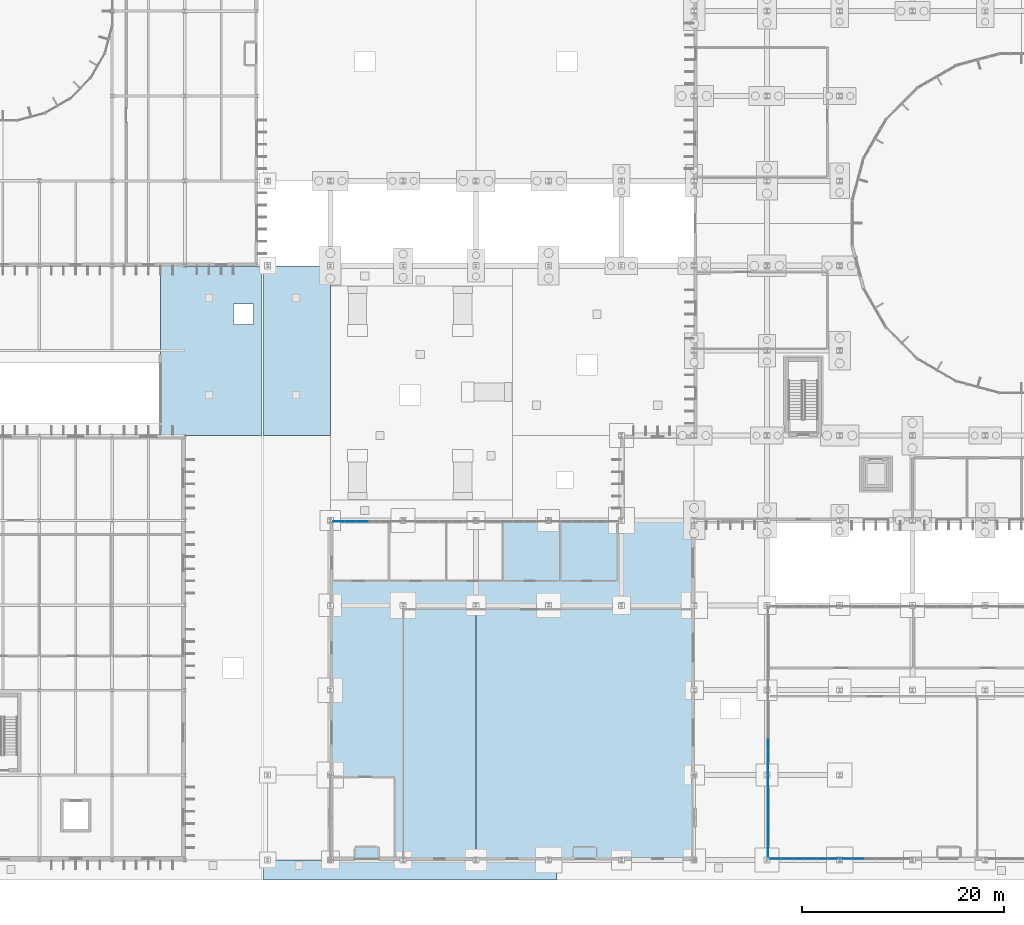
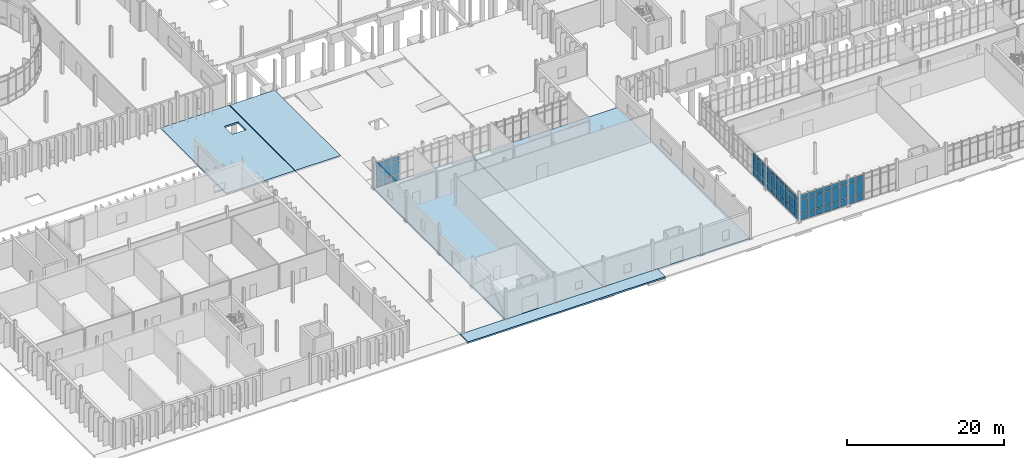
# One storey, part 54 of 118: 63 plates, 5 slabs, 5 elements without a shape of their own.
"""IFC4 building model written with IfcOpenShell, lengths in metres."""

from ifc_helpers import new_model, si_unit, direction, frame, origin, origin_2d, place, context, subcontext, project, spatial, polyline, rectangle, outline, extrude, material, layer, layer_set, type_object, element, aggregate, save


model = new_model("IFC4")

# Units and contexts
model_context = context("Model", 3, precision=1e-05, world=origin(), true_north=direction((0.0, 1.0)))
body_context = subcontext(model_context, "Body", "Model", "MODEL_VIEW")
ifc_project = project(units=[si_unit("LENGTHUNIT", "METRE"), si_unit("AREAUNIT", "SQUARE_METRE"), si_unit("VOLUMEUNIT", "CUBIC_METRE"), si_unit("PLANEANGLEUNIT", "RADIAN"), si_unit("MASSUNIT", "GRAM", prefix="KILO")], contexts=[model_context])

# Site, building, storey
site_placement = place(None, origin())
site = spatial("IfcSite", under=ifc_project, at=site_placement, CompositionType="ELEMENT")
building_placement = place(site_placement, origin())
building = spatial("IfcBuilding", under=site, at=building_placement, Name="Qelthora Terrace Specialist Clinic", CompositionType="ELEMENT")
storey_placement = place(building_placement, origin())
storey = spatial("IfcBuildingStorey", under=building, at=storey_placement, Name="L00", CompositionType="ELEMENT", Elevation=0.0)

# Curtain wall, plates
ifc_material_1 = material(Name="Aluminium anodized bronze", Category="aluminium")
curtain_wall_type_1 = type_object("IfcCurtainWallType", Name="CW-HALL-L00", PredefinedType="NOTDEFINED", material=ifc_material_1)
curtain_wall_1_placement = place(storey_placement, origin())
curtain_wall_1 = element("IfcCurtainWall", 1, at=curtain_wall_1_placement, inside=storey, type_object=curtain_wall_type_1, Name="Curtain wall CW-L00-201", PredefinedType="NOTDEFINED")
ifc_material_2 = material(Name="Low-E triple-silver insulating glass", Category="glass")
ifc_layer_1 = layer(ifc_material_2, 0.035888671875)
ifc_layer_set_1 = layer_set([ifc_layer_1], Name="Low-E triple-silver insulating glass")
plate_type = type_object("IfcPlateType", Name="CWP-IGU-36", PredefinedType="CURTAIN_PANEL", material=ifc_layer_set_1)
plate_1_placement = place(storey_placement, frame((58.438232421875, 33.47998046875, 0.0849609375), z_axis=(0.0, 0.0, 1.0), x_axis=(1.0, 0.0, 0.0)))
plate_1 = element("IfcPlate", 2, at=plate_1_placement, type_object=plate_type, Name="CW-L00-201 glazed panel 1", PredefinedType="CURTAIN_PANEL", context=body_context, shape_type="SweptSolid", body=[
    extrude(rectangle(XDim=1.056640625, YDim=0.035888671875, at=origin_2d()), origin(), (0.0, 0.0, 1.0), 0.919921875),
])
plate_2_placement = place(storey_placement, frame((58.438232421875, 33.47998046875, 1.094970703125), z_axis=(0.0, 0.0, 1.0), x_axis=(1.0, 0.0, 0.0)))
plate_2 = element("IfcPlate", 3, at=plate_2_placement, type_object=plate_type, Name="CW-L00-201 glazed panel 2", PredefinedType="CURTAIN_PANEL", context=body_context, shape_type="SweptSolid", body=[
    extrude(rectangle(XDim=1.056640625, YDim=0.035888671875, at=origin_2d()), origin(), (0.0, 0.0, 1.0), 2.05810546875),
])
plate_3_placement = place(storey_placement, frame((58.438232421875, 33.47998046875, 3.242919921875), z_axis=(0.0, 0.0, 1.0), x_axis=(1.0, 0.0, 0.0)))
plate_3 = element("IfcPlate", 4, at=plate_3_placement, type_object=plate_type, Name="CW-L00-201 glazed panel 3", PredefinedType="CURTAIN_PANEL", context=body_context, shape_type="SweptSolid", body=[
    extrude(rectangle(XDim=1.056640625, YDim=0.035888671875, at=origin_2d()), origin(), (0.0, 0.0, 1.0), 0.669921875),
])
plate_4_placement = place(storey_placement, frame((59.594970703125, 33.47998046875, 0.0849609375), z_axis=(0.0, 0.0, 1.0), x_axis=(1.0, 0.0, 0.0)))
plate_4 = element("IfcPlate", 5, at=plate_4_placement, type_object=plate_type, Name="CW-L00-201 glazed panel 4", PredefinedType="CURTAIN_PANEL", context=body_context, shape_type="SweptSolid", body=[
    extrude(rectangle(XDim=1.056640625, YDim=0.035888671875, at=origin_2d()), origin(), (0.0, 0.0, 1.0), 0.919921875),
])
plate_5_placement = place(storey_placement, frame((59.594970703125, 33.47998046875, 1.094970703125), z_axis=(0.0, 0.0, 1.0), x_axis=(1.0, 0.0, 0.0)))
plate_5 = element("IfcPlate", 6, at=plate_5_placement, type_object=plate_type, Name="CW-L00-201 glazed panel 5", PredefinedType="CURTAIN_PANEL", context=body_context, shape_type="SweptSolid", body=[
    extrude(rectangle(XDim=1.056640625, YDim=0.035888671875, at=origin_2d()), origin(), (0.0, 0.0, 1.0), 2.05810546875),
])
plate_6_placement = place(storey_placement, frame((59.594970703125, 33.47998046875, 3.242919921875), z_axis=(0.0, 0.0, 1.0), x_axis=(1.0, 0.0, 0.0)))
plate_6 = element("IfcPlate", 7, at=plate_6_placement, type_object=plate_type, Name="CW-L00-201 glazed panel 6", PredefinedType="CURTAIN_PANEL", context=body_context, shape_type="SweptSolid", body=[
    extrude(rectangle(XDim=1.056640625, YDim=0.035888671875, at=origin_2d()), origin(), (0.0, 0.0, 1.0), 0.669921875),
])
plate_7_placement = place(storey_placement, frame((60.751708984375, 33.47998046875, 0.0849609375), z_axis=(0.0, 0.0, 1.0), x_axis=(1.0, 0.0, 0.0)))
plate_7 = element("IfcPlate", 8, at=plate_7_placement, type_object=plate_type, Name="CW-L00-201 glazed panel 7", PredefinedType="CURTAIN_PANEL", context=body_context, shape_type="SweptSolid", body=[
    extrude(rectangle(XDim=1.056640625, YDim=0.035888671875, at=origin_2d()), origin(), (0.0, 0.0, 1.0), 0.919921875),
])
plate_8_placement = place(storey_placement, frame((60.751708984375, 33.47998046875, 1.094970703125), z_axis=(0.0, 0.0, 1.0), x_axis=(1.0, 0.0, 0.0)))
plate_8 = element("IfcPlate", 9, at=plate_8_placement, type_object=plate_type, Name="CW-L00-201 glazed panel 8", PredefinedType="CURTAIN_PANEL", context=body_context, shape_type="SweptSolid", body=[
    extrude(rectangle(XDim=1.056640625, YDim=0.035888671875, at=origin_2d()), origin(), (0.0, 0.0, 1.0), 2.05810546875),
])
plate_9_placement = place(storey_placement, frame((60.751708984375, 33.47998046875, 3.242919921875), z_axis=(0.0, 0.0, 1.0), x_axis=(1.0, 0.0, 0.0)))
plate_9 = element("IfcPlate", 10, at=plate_9_placement, type_object=plate_type, Name="CW-L00-201 glazed panel 9", PredefinedType="CURTAIN_PANEL", context=body_context, shape_type="SweptSolid", body=[
    extrude(rectangle(XDim=1.056640625, YDim=0.035888671875, at=origin_2d()), origin(), (0.0, 0.0, 1.0), 0.669921875),
])
aggregate(curtain_wall_1, [plate_1, plate_2, plate_3, plate_4, plate_5, plate_6, plate_7, plate_8, plate_9])

curtain_wall_type_2 = type_object("IfcCurtainWallType", Name="CW-CONS-X", PredefinedType="NOTDEFINED", material=ifc_material_1)
curtain_wall_2_placement = place(storey_placement, origin())
curtain_wall_2 = element("IfcCurtainWall", 11, at=curtain_wall_2_placement, inside=storey, type_object=curtain_wall_type_2, Name="Curtain wall CW-L00-205", PredefinedType="NOTDEFINED")
plate_10_placement = place(storey_placement, frame((101.638427734375, 0.1201171875, 0.0849609375), z_axis=(0.0, 0.0, 1.0), x_axis=(1.0, 0.0, 0.0)))
plate_10 = element("IfcPlate", 12, at=plate_10_placement, type_object=plate_type, Name="CW-L00-205 glazed panel 1", PredefinedType="CURTAIN_PANEL", context=body_context, shape_type="SweptSolid", body=[
    extrude(rectangle(XDim=1.056640625, YDim=0.035888671875, at=origin_2d()), origin(), (0.0, 0.0, 1.0), 0.919921875),
])
plate_11_placement = place(storey_placement, frame((101.638427734375, 0.1201171875, 1.094970703125), z_axis=(0.0, 0.0, 1.0), x_axis=(1.0, 0.0, 0.0)))
plate_11 = element("IfcPlate", 13, at=plate_11_placement, type_object=plate_type, Name="CW-L00-205 glazed panel 2", PredefinedType="CURTAIN_PANEL", context=body_context, shape_type="SweptSolid", body=[
    extrude(rectangle(XDim=1.056640625, YDim=0.035888671875, at=origin_2d()), origin(), (0.0, 0.0, 1.0), 2.14208984375),
])
plate_12_placement = place(storey_placement, frame((101.638427734375, 0.1201171875, 3.3271484375), z_axis=(0.0, 0.0, 1.0), x_axis=(1.0, 0.0, 0.0)))
plate_12 = element("IfcPlate", 14, at=plate_12_placement, type_object=plate_type, Name="CW-L00-205 glazed panel 3", PredefinedType="CURTAIN_PANEL", context=body_context, shape_type="SweptSolid", body=[
    extrude(rectangle(XDim=1.056640625, YDim=0.035888671875, at=origin_2d()), origin(), (0.0, 0.0, 1.0), 0.669921875),
])
plate_13_placement = place(storey_placement, frame((102.794921875, 0.1201171875, 0.0849609375), z_axis=(0.0, 0.0, 1.0), x_axis=(1.0, 0.0, 0.0)))
plate_13 = element("IfcPlate", 15, at=plate_13_placement, type_object=plate_type, Name="CW-L00-205 glazed panel 4", PredefinedType="CURTAIN_PANEL", context=body_context, shape_type="SweptSolid", body=[
    extrude(rectangle(XDim=1.056640625, YDim=0.035888671875, at=origin_2d()), origin(), (0.0, 0.0, 1.0), 0.919921875),
])
plate_14_placement = place(storey_placement, frame((102.794921875, 0.1201171875, 1.094970703125), z_axis=(0.0, 0.0, 1.0), x_axis=(1.0, 0.0, 0.0)))
plate_14 = element("IfcPlate", 16, at=plate_14_placement, type_object=plate_type, Name="CW-L00-205 glazed panel 5", PredefinedType="CURTAIN_PANEL", context=body_context, shape_type="SweptSolid", body=[
    extrude(rectangle(XDim=1.056640625, YDim=0.035888671875, at=origin_2d()), origin(), (0.0, 0.0, 1.0), 2.14208984375),
])
plate_15_placement = place(storey_placement, frame((102.794921875, 0.1201171875, 3.3271484375), z_axis=(0.0, 0.0, 1.0), x_axis=(1.0, 0.0, 0.0)))
plate_15 = element("IfcPlate", 17, at=plate_15_placement, type_object=plate_type, Name="CW-L00-205 glazed panel 6", PredefinedType="CURTAIN_PANEL", context=body_context, shape_type="SweptSolid", body=[
    extrude(rectangle(XDim=1.056640625, YDim=0.035888671875, at=origin_2d()), origin(), (0.0, 0.0, 1.0), 0.669921875),
])
plate_16_placement = place(storey_placement, frame((103.95166015625, 0.1201171875, 0.0849609375), z_axis=(0.0, 0.0, 1.0), x_axis=(1.0, 0.0, 0.0)))
plate_16 = element("IfcPlate", 18, at=plate_16_placement, type_object=plate_type, Name="CW-L00-205 glazed panel 7", PredefinedType="CURTAIN_PANEL", context=body_context, shape_type="SweptSolid", body=[
    extrude(rectangle(XDim=1.056640625, YDim=0.035888671875, at=origin_2d()), origin(), (0.0, 0.0, 1.0), 0.919921875),
])
plate_17_placement = place(storey_placement, frame((103.95166015625, 0.1201171875, 1.094970703125), z_axis=(0.0, 0.0, 1.0), x_axis=(1.0, 0.0, 0.0)))
plate_17 = element("IfcPlate", 19, at=plate_17_placement, type_object=plate_type, Name="CW-L00-205 glazed panel 8", PredefinedType="CURTAIN_PANEL", context=body_context, shape_type="SweptSolid", body=[
    extrude(rectangle(XDim=1.056640625, YDim=0.035888671875, at=origin_2d()), origin(), (0.0, 0.0, 1.0), 2.14208984375),
])
plate_18_placement = place(storey_placement, frame((103.95166015625, 0.1201171875, 3.3271484375), z_axis=(0.0, 0.0, 1.0), x_axis=(1.0, 0.0, 0.0)))
plate_18 = element("IfcPlate", 20, at=plate_18_placement, type_object=plate_type, Name="CW-L00-205 glazed panel 9", PredefinedType="CURTAIN_PANEL", context=body_context, shape_type="SweptSolid", body=[
    extrude(rectangle(XDim=1.056640625, YDim=0.035888671875, at=origin_2d()), origin(), (0.0, 0.0, 1.0), 0.669921875),
])
plate_19_placement = place(storey_placement, frame((105.1083984375, 0.1201171875, 0.0849609375), z_axis=(0.0, 0.0, 1.0), x_axis=(1.0, 0.0, 0.0)))
plate_19 = element("IfcPlate", 21, at=plate_19_placement, type_object=plate_type, Name="CW-L00-205 glazed panel 10", PredefinedType="CURTAIN_PANEL", context=body_context, shape_type="SweptSolid", body=[
    extrude(rectangle(XDim=1.056640625, YDim=0.035888671875, at=origin_2d()), origin(), (0.0, 0.0, 1.0), 0.919921875),
])
plate_20_placement = place(storey_placement, frame((105.1083984375, 0.1201171875, 1.094970703125), z_axis=(0.0, 0.0, 1.0), x_axis=(1.0, 0.0, 0.0)))
plate_20 = element("IfcPlate", 22, at=plate_20_placement, type_object=plate_type, Name="CW-L00-205 glazed panel 11", PredefinedType="CURTAIN_PANEL", context=body_context, shape_type="SweptSolid", body=[
    extrude(rectangle(XDim=1.056640625, YDim=0.035888671875, at=origin_2d()), origin(), (0.0, 0.0, 1.0), 2.14208984375),
])
plate_21_placement = place(storey_placement, frame((105.1083984375, 0.1201171875, 3.3271484375), z_axis=(0.0, 0.0, 1.0), x_axis=(1.0, 0.0, 0.0)))
plate_21 = element("IfcPlate", 23, at=plate_21_placement, type_object=plate_type, Name="CW-L00-205 glazed panel 12", PredefinedType="CURTAIN_PANEL", context=body_context, shape_type="SweptSolid", body=[
    extrude(rectangle(XDim=1.056640625, YDim=0.035888671875, at=origin_2d()), origin(), (0.0, 0.0, 1.0), 0.669921875),
])
plate_22_placement = place(storey_placement, frame((106.264892578125, 0.1201171875, 0.0849609375), z_axis=(0.0, 0.0, 1.0), x_axis=(1.0, 0.0, 0.0)))
plate_22 = element("IfcPlate", 24, at=plate_22_placement, type_object=plate_type, Name="CW-L00-205 glazed panel 13", PredefinedType="CURTAIN_PANEL", context=body_context, shape_type="SweptSolid", body=[
    extrude(rectangle(XDim=1.056640625, YDim=0.035888671875, at=origin_2d()), origin(), (0.0, 0.0, 1.0), 0.919921875),
])
plate_23_placement = place(storey_placement, frame((106.264892578125, 0.1201171875, 1.094970703125), z_axis=(0.0, 0.0, 1.0), x_axis=(1.0, 0.0, 0.0)))
plate_23 = element("IfcPlate", 25, at=plate_23_placement, type_object=plate_type, Name="CW-L00-205 glazed panel 14", PredefinedType="CURTAIN_PANEL", context=body_context, shape_type="SweptSolid", body=[
    extrude(rectangle(XDim=1.056640625, YDim=0.035888671875, at=origin_2d()), origin(), (0.0, 0.0, 1.0), 2.14208984375),
])
plate_24_placement = place(storey_placement, frame((106.264892578125, 0.1201171875, 3.3271484375), z_axis=(0.0, 0.0, 1.0), x_axis=(1.0, 0.0, 0.0)))
plate_24 = element("IfcPlate", 26, at=plate_24_placement, type_object=plate_type, Name="CW-L00-205 glazed panel 15", PredefinedType="CURTAIN_PANEL", context=body_context, shape_type="SweptSolid", body=[
    extrude(rectangle(XDim=1.056640625, YDim=0.035888671875, at=origin_2d()), origin(), (0.0, 0.0, 1.0), 0.669921875),
])
plate_25_placement = place(storey_placement, frame((107.421630859375, 0.1201171875, 0.0849609375), z_axis=(0.0, 0.0, 1.0), x_axis=(1.0, 0.0, 0.0)))
plate_25 = element("IfcPlate", 27, at=plate_25_placement, type_object=plate_type, Name="CW-L00-205 glazed panel 16", PredefinedType="CURTAIN_PANEL", context=body_context, shape_type="SweptSolid", body=[
    extrude(rectangle(XDim=1.056640625, YDim=0.035888671875, at=origin_2d()), origin(), (0.0, 0.0, 1.0), 0.919921875),
])
plate_26_placement = place(storey_placement, frame((107.421630859375, 0.1201171875, 1.094970703125), z_axis=(0.0, 0.0, 1.0), x_axis=(1.0, 0.0, 0.0)))
plate_26 = element("IfcPlate", 28, at=plate_26_placement, type_object=plate_type, Name="CW-L00-205 glazed panel 17", PredefinedType="CURTAIN_PANEL", context=body_context, shape_type="SweptSolid", body=[
    extrude(rectangle(XDim=1.056640625, YDim=0.035888671875, at=origin_2d()), origin(), (0.0, 0.0, 1.0), 2.14208984375),
])
plate_27_placement = place(storey_placement, frame((107.421630859375, 0.1201171875, 3.3271484375), z_axis=(0.0, 0.0, 1.0), x_axis=(1.0, 0.0, 0.0)))
plate_27 = element("IfcPlate", 29, at=plate_27_placement, type_object=plate_type, Name="CW-L00-205 glazed panel 18", PredefinedType="CURTAIN_PANEL", context=body_context, shape_type="SweptSolid", body=[
    extrude(rectangle(XDim=1.056640625, YDim=0.035888671875, at=origin_2d()), origin(), (0.0, 0.0, 1.0), 0.669921875),
])
aggregate(curtain_wall_2, [plate_10, plate_11, plate_12, plate_13, plate_14, plate_15, plate_16, plate_17, plate_18, plate_19, plate_20, plate_21, plate_22, plate_23, plate_24, plate_25, plate_26, plate_27])

curtain_wall_3_placement = place(storey_placement, origin())
curtain_wall_3 = element("IfcCurtainWall", 30, at=curtain_wall_3_placement, inside=storey, type_object=curtain_wall_type_2, Name="Curtain wall CW-L00-206", PredefinedType="NOTDEFINED")
plate_28_placement = place(storey_placement, frame((108.60009765625, 0.1201171875, 0.0849609375), z_axis=(0.0, 0.0, 1.0), x_axis=(1.0, 0.0, 0.0)))
plate_28 = element("IfcPlate", 31, at=plate_28_placement, type_object=plate_type, Name="CW-L00-206 glazed panel 1", PredefinedType="CURTAIN_PANEL", context=body_context, shape_type="SweptSolid", body=[
    extrude(rectangle(XDim=1.10009765625, YDim=0.035888671875, at=origin_2d()), origin(), (0.0, 0.0, 1.0), 0.919921875),
])
plate_29_placement = place(storey_placement, frame((108.60009765625, 0.1201171875, 1.094970703125), z_axis=(0.0, 0.0, 1.0), x_axis=(1.0, 0.0, 0.0)))
plate_29 = element("IfcPlate", 32, at=plate_29_placement, type_object=plate_type, Name="CW-L00-206 glazed panel 2", PredefinedType="CURTAIN_PANEL", context=body_context, shape_type="SweptSolid", body=[
    extrude(rectangle(XDim=1.10009765625, YDim=0.035888671875, at=origin_2d()), origin(), (0.0, 0.0, 1.0), 2.14208984375),
])
plate_30_placement = place(storey_placement, frame((108.60009765625, 0.1201171875, 3.3271484375), z_axis=(0.0, 0.0, 1.0), x_axis=(1.0, 0.0, 0.0)))
plate_30 = element("IfcPlate", 33, at=plate_30_placement, type_object=plate_type, Name="CW-L00-206 glazed panel 3", PredefinedType="CURTAIN_PANEL", context=body_context, shape_type="SweptSolid", body=[
    extrude(rectangle(XDim=1.10009765625, YDim=0.035888671875, at=origin_2d()), origin(), (0.0, 0.0, 1.0), 0.669921875),
])
plate_31_placement = place(storey_placement, frame((109.800048828125, 0.1201171875, 0.0849609375), z_axis=(0.0, 0.0, 1.0), x_axis=(1.0, 0.0, 0.0)))
plate_31 = element("IfcPlate", 34, at=plate_31_placement, type_object=plate_type, Name="CW-L00-206 glazed panel 4", PredefinedType="CURTAIN_PANEL", context=body_context, shape_type="SweptSolid", body=[
    extrude(rectangle(XDim=1.10009765625, YDim=0.035888671875, at=origin_2d()), origin(), (0.0, 0.0, 1.0), 0.919921875),
])
plate_32_placement = place(storey_placement, frame((109.800048828125, 0.1201171875, 1.094970703125), z_axis=(0.0, 0.0, 1.0), x_axis=(1.0, 0.0, 0.0)))
plate_32 = element("IfcPlate", 35, at=plate_32_placement, type_object=plate_type, Name="CW-L00-206 glazed panel 5", PredefinedType="CURTAIN_PANEL", context=body_context, shape_type="SweptSolid", body=[
    extrude(rectangle(XDim=1.10009765625, YDim=0.035888671875, at=origin_2d()), origin(), (0.0, 0.0, 1.0), 2.14208984375),
])
plate_33_placement = place(storey_placement, frame((109.800048828125, 0.1201171875, 3.3271484375), z_axis=(0.0, 0.0, 1.0), x_axis=(1.0, 0.0, 0.0)))
plate_33 = element("IfcPlate", 36, at=plate_33_placement, type_object=plate_type, Name="CW-L00-206 glazed panel 6", PredefinedType="CURTAIN_PANEL", context=body_context, shape_type="SweptSolid", body=[
    extrude(rectangle(XDim=1.10009765625, YDim=0.035888671875, at=origin_2d()), origin(), (0.0, 0.0, 1.0), 0.669921875),
])
aggregate(curtain_wall_3, [plate_28, plate_29, plate_30, plate_31, plate_32, plate_33])

curtain_wall_type_3 = type_object("IfcCurtainWallType", Name="CW-CONS-Y", PredefinedType="NOTDEFINED", material=ifc_material_1)
curtain_wall_4_placement = place(storey_placement, origin())
curtain_wall_4 = element("IfcCurtainWall", 37, at=curtain_wall_4_placement, inside=storey, type_object=curtain_wall_type_3, Name="Curtain wall CW-L00-211", PredefinedType="NOTDEFINED")
plate_34_placement = place(storey_placement, frame((100.919921875, 0.84130859375, 0.0849609375), z_axis=(0.0, 0.0, 1.0), x_axis=(0.0, 1.0, 0.0)))
plate_34 = element("IfcPlate", 38, at=plate_34_placement, type_object=plate_type, Name="CW-L00-211 glazed panel 1", PredefinedType="CURTAIN_PANEL", context=body_context, shape_type="SweptSolid", body=[
    extrude(rectangle(XDim=1.062744140625, YDim=0.035888671875, at=origin_2d()), origin(), (0.0, 0.0, 1.0), 0.919921875),
])
plate_35_placement = place(storey_placement, frame((100.919921875, 0.84130859375, 1.094970703125), z_axis=(0.0, 0.0, 1.0), x_axis=(0.0, 1.0, 0.0)))
plate_35 = element("IfcPlate", 39, at=plate_35_placement, type_object=plate_type, Name="CW-L00-211 glazed panel 2", PredefinedType="CURTAIN_PANEL", context=body_context, shape_type="SweptSolid", body=[
    extrude(rectangle(XDim=1.062744140625, YDim=0.035888671875, at=origin_2d()), origin(), (0.0, 0.0, 1.0), 1.7509765625),
])
plate_36_placement = place(storey_placement, frame((100.919921875, 0.84130859375, 2.93603515625), z_axis=(0.0, 0.0, 1.0), x_axis=(0.0, 1.0, 0.0)))
plate_36 = element("IfcPlate", 40, at=plate_36_placement, type_object=plate_type, Name="CW-L00-211 glazed panel 3", PredefinedType="CURTAIN_PANEL", context=body_context, shape_type="SweptSolid", body=[
    extrude(rectangle(XDim=1.062744140625, YDim=0.035888671875, at=origin_2d()), origin(), (0.0, 0.0, 1.0), 0.669921875),
])
plate_37_placement = place(storey_placement, frame((100.919921875, 2.00439453125, 0.0849609375), z_axis=(0.0, 0.0, 1.0), x_axis=(0.0, 1.0, 0.0)))
plate_37 = element("IfcPlate", 41, at=plate_37_placement, type_object=plate_type, Name="CW-L00-211 glazed panel 4", PredefinedType="CURTAIN_PANEL", context=body_context, shape_type="SweptSolid", body=[
    extrude(rectangle(XDim=1.062744140625, YDim=0.035888671875, at=origin_2d()), origin(), (0.0, 0.0, 1.0), 0.919921875),
])
plate_38_placement = place(storey_placement, frame((100.919921875, 2.00439453125, 1.094970703125), z_axis=(0.0, 0.0, 1.0), x_axis=(0.0, 1.0, 0.0)))
plate_38 = element("IfcPlate", 42, at=plate_38_placement, type_object=plate_type, Name="CW-L00-211 glazed panel 5", PredefinedType="CURTAIN_PANEL", context=body_context, shape_type="SweptSolid", body=[
    extrude(rectangle(XDim=1.062744140625, YDim=0.035888671875, at=origin_2d()), origin(), (0.0, 0.0, 1.0), 1.7509765625),
])
plate_39_placement = place(storey_placement, frame((100.919921875, 2.00439453125, 2.93603515625), z_axis=(0.0, 0.0, 1.0), x_axis=(0.0, 1.0, 0.0)))
plate_39 = element("IfcPlate", 43, at=plate_39_placement, type_object=plate_type, Name="CW-L00-211 glazed panel 6", PredefinedType="CURTAIN_PANEL", context=body_context, shape_type="SweptSolid", body=[
    extrude(rectangle(XDim=1.062744140625, YDim=0.035888671875, at=origin_2d()), origin(), (0.0, 0.0, 1.0), 0.669921875),
])
plate_40_placement = place(storey_placement, frame((100.919921875, 3.167236328125, 0.0849609375), z_axis=(0.0, 0.0, 1.0), x_axis=(0.0, 1.0, 0.0)))
plate_40 = element("IfcPlate", 44, at=plate_40_placement, type_object=plate_type, Name="CW-L00-211 glazed panel 7", PredefinedType="CURTAIN_PANEL", context=body_context, shape_type="SweptSolid", body=[
    extrude(rectangle(XDim=1.062744140625, YDim=0.035888671875, at=origin_2d()), origin(), (0.0, 0.0, 1.0), 0.919921875),
])
plate_41_placement = place(storey_placement, frame((100.919921875, 3.167236328125, 1.094970703125), z_axis=(0.0, 0.0, 1.0), x_axis=(0.0, 1.0, 0.0)))
plate_41 = element("IfcPlate", 45, at=plate_41_placement, type_object=plate_type, Name="CW-L00-211 glazed panel 8", PredefinedType="CURTAIN_PANEL", context=body_context, shape_type="SweptSolid", body=[
    extrude(rectangle(XDim=1.062744140625, YDim=0.035888671875, at=origin_2d()), origin(), (0.0, 0.0, 1.0), 1.7509765625),
])
plate_42_placement = place(storey_placement, frame((100.919921875, 3.167236328125, 2.93603515625), z_axis=(0.0, 0.0, 1.0), x_axis=(0.0, 1.0, 0.0)))
plate_42 = element("IfcPlate", 46, at=plate_42_placement, type_object=plate_type, Name="CW-L00-211 glazed panel 9", PredefinedType="CURTAIN_PANEL", context=body_context, shape_type="SweptSolid", body=[
    extrude(rectangle(XDim=1.062744140625, YDim=0.035888671875, at=origin_2d()), origin(), (0.0, 0.0, 1.0), 0.669921875),
])
plate_43_placement = place(storey_placement, frame((100.919921875, 4.330078125, 0.0849609375), z_axis=(0.0, 0.0, 1.0), x_axis=(0.0, 1.0, 0.0)))
plate_43 = element("IfcPlate", 47, at=plate_43_placement, type_object=plate_type, Name="CW-L00-211 glazed panel 10", PredefinedType="CURTAIN_PANEL", context=body_context, shape_type="SweptSolid", body=[
    extrude(rectangle(XDim=1.062744140625, YDim=0.035888671875, at=origin_2d()), origin(), (0.0, 0.0, 1.0), 0.919921875),
])
plate_44_placement = place(storey_placement, frame((100.919921875, 4.330078125, 1.094970703125), z_axis=(0.0, 0.0, 1.0), x_axis=(0.0, 1.0, 0.0)))
plate_44 = element("IfcPlate", 48, at=plate_44_placement, type_object=plate_type, Name="CW-L00-211 glazed panel 11", PredefinedType="CURTAIN_PANEL", context=body_context, shape_type="SweptSolid", body=[
    extrude(rectangle(XDim=1.062744140625, YDim=0.035888671875, at=origin_2d()), origin(), (0.0, 0.0, 1.0), 1.7509765625),
])
plate_45_placement = place(storey_placement, frame((100.919921875, 4.330078125, 2.93603515625), z_axis=(0.0, 0.0, 1.0), x_axis=(0.0, 1.0, 0.0)))
plate_45 = element("IfcPlate", 49, at=plate_45_placement, type_object=plate_type, Name="CW-L00-211 glazed panel 12", PredefinedType="CURTAIN_PANEL", context=body_context, shape_type="SweptSolid", body=[
    extrude(rectangle(XDim=1.062744140625, YDim=0.035888671875, at=origin_2d()), origin(), (0.0, 0.0, 1.0), 0.669921875),
])
plate_46_placement = place(storey_placement, frame((100.919921875, 5.492919921875, 0.0849609375), z_axis=(0.0, 0.0, 1.0), x_axis=(0.0, 1.0, 0.0)))
plate_46 = element("IfcPlate", 50, at=plate_46_placement, type_object=plate_type, Name="CW-L00-211 glazed panel 13", PredefinedType="CURTAIN_PANEL", context=body_context, shape_type="SweptSolid", body=[
    extrude(rectangle(XDim=1.062744140625, YDim=0.035888671875, at=origin_2d()), origin(), (0.0, 0.0, 1.0), 0.919921875),
])
plate_47_placement = place(storey_placement, frame((100.919921875, 5.492919921875, 1.094970703125), z_axis=(0.0, 0.0, 1.0), x_axis=(0.0, 1.0, 0.0)))
plate_47 = element("IfcPlate", 51, at=plate_47_placement, type_object=plate_type, Name="CW-L00-211 glazed panel 14", PredefinedType="CURTAIN_PANEL", context=body_context, shape_type="SweptSolid", body=[
    extrude(rectangle(XDim=1.062744140625, YDim=0.035888671875, at=origin_2d()), origin(), (0.0, 0.0, 1.0), 1.7509765625),
])
plate_48_placement = place(storey_placement, frame((100.919921875, 5.492919921875, 2.93603515625), z_axis=(0.0, 0.0, 1.0), x_axis=(0.0, 1.0, 0.0)))
plate_48 = element("IfcPlate", 52, at=plate_48_placement, type_object=plate_type, Name="CW-L00-211 glazed panel 15", PredefinedType="CURTAIN_PANEL", context=body_context, shape_type="SweptSolid", body=[
    extrude(rectangle(XDim=1.062744140625, YDim=0.035888671875, at=origin_2d()), origin(), (0.0, 0.0, 1.0), 0.669921875),
])
plate_49_placement = place(storey_placement, frame((100.919921875, 6.65576171875, 0.0849609375), z_axis=(0.0, 0.0, 1.0), x_axis=(0.0, 1.0, 0.0)))
plate_49 = element("IfcPlate", 53, at=plate_49_placement, type_object=plate_type, Name="CW-L00-211 glazed panel 16", PredefinedType="CURTAIN_PANEL", context=body_context, shape_type="SweptSolid", body=[
    extrude(rectangle(XDim=1.062744140625, YDim=0.035888671875, at=origin_2d()), origin(), (0.0, 0.0, 1.0), 0.919921875),
])
plate_50_placement = place(storey_placement, frame((100.919921875, 6.65576171875, 1.094970703125), z_axis=(0.0, 0.0, 1.0), x_axis=(0.0, 1.0, 0.0)))
plate_50 = element("IfcPlate", 54, at=plate_50_placement, type_object=plate_type, Name="CW-L00-211 glazed panel 17", PredefinedType="CURTAIN_PANEL", context=body_context, shape_type="SweptSolid", body=[
    extrude(rectangle(XDim=1.062744140625, YDim=0.035888671875, at=origin_2d()), origin(), (0.0, 0.0, 1.0), 1.7509765625),
])
plate_51_placement = place(storey_placement, frame((100.919921875, 6.65576171875, 2.93603515625), z_axis=(0.0, 0.0, 1.0), x_axis=(0.0, 1.0, 0.0)))
plate_51 = element("IfcPlate", 55, at=plate_51_placement, type_object=plate_type, Name="CW-L00-211 glazed panel 18", PredefinedType="CURTAIN_PANEL", context=body_context, shape_type="SweptSolid", body=[
    extrude(rectangle(XDim=1.062744140625, YDim=0.035888671875, at=origin_2d()), origin(), (0.0, 0.0, 1.0), 0.669921875),
])
plate_52_placement = place(storey_placement, frame((100.919921875, 7.818603515625, 0.0849609375), z_axis=(0.0, 0.0, 1.0), x_axis=(0.0, 1.0, 0.0)))
plate_52 = element("IfcPlate", 56, at=plate_52_placement, type_object=plate_type, Name="CW-L00-211 glazed panel 19", PredefinedType="CURTAIN_PANEL", context=body_context, shape_type="SweptSolid", body=[
    extrude(rectangle(XDim=1.062744140625, YDim=0.035888671875, at=origin_2d()), origin(), (0.0, 0.0, 1.0), 0.919921875),
])
plate_53_placement = place(storey_placement, frame((100.919921875, 7.818603515625, 1.094970703125), z_axis=(0.0, 0.0, 1.0), x_axis=(0.0, 1.0, 0.0)))
plate_53 = element("IfcPlate", 57, at=plate_53_placement, type_object=plate_type, Name="CW-L00-211 glazed panel 20", PredefinedType="CURTAIN_PANEL", context=body_context, shape_type="SweptSolid", body=[
    extrude(rectangle(XDim=1.062744140625, YDim=0.035888671875, at=origin_2d()), origin(), (0.0, 0.0, 1.0), 1.7509765625),
])
plate_54_placement = place(storey_placement, frame((100.919921875, 7.818603515625, 2.93603515625), z_axis=(0.0, 0.0, 1.0), x_axis=(0.0, 1.0, 0.0)))
plate_54 = element("IfcPlate", 58, at=plate_54_placement, type_object=plate_type, Name="CW-L00-211 glazed panel 21", PredefinedType="CURTAIN_PANEL", context=body_context, shape_type="SweptSolid", body=[
    extrude(rectangle(XDim=1.062744140625, YDim=0.035888671875, at=origin_2d()), origin(), (0.0, 0.0, 1.0), 0.669921875),
])
aggregate(curtain_wall_4, [plate_34, plate_35, plate_36, plate_37, plate_38, plate_39, plate_40, plate_41, plate_42, plate_43, plate_44, plate_45, plate_46, plate_47, plate_48, plate_49, plate_50, plate_51, plate_52, plate_53, plate_54])

curtain_wall_5_placement = place(storey_placement, origin())
curtain_wall_5 = element("IfcCurtainWall", 59, at=curtain_wall_5_placement, inside=storey, type_object=curtain_wall_type_3, Name="Curtain wall CW-L00-212", PredefinedType="NOTDEFINED")
plate_55_placement = place(storey_placement, frame((100.919921875, 9.0, 0.0849609375), z_axis=(0.0, 0.0, 1.0), x_axis=(0.0, 1.0, 0.0)))
plate_55 = element("IfcPlate", 60, at=plate_55_placement, type_object=plate_type, Name="CW-L00-212 glazed panel 1", PredefinedType="CURTAIN_PANEL", context=body_context, shape_type="SweptSolid", body=[
    extrude(rectangle(XDim=1.10009765625, YDim=0.035888671875, at=origin_2d()), origin(), (0.0, 0.0, 1.0), 0.919921875),
])
plate_56_placement = place(storey_placement, frame((100.919921875, 9.0, 1.094970703125), z_axis=(0.0, 0.0, 1.0), x_axis=(0.0, 1.0, 0.0)))
plate_56 = element("IfcPlate", 61, at=plate_56_placement, type_object=plate_type, Name="CW-L00-212 glazed panel 2", PredefinedType="CURTAIN_PANEL", context=body_context, shape_type="SweptSolid", body=[
    extrude(rectangle(XDim=1.10009765625, YDim=0.035888671875, at=origin_2d()), origin(), (0.0, 0.0, 1.0), 1.7509765625),
])
plate_57_placement = place(storey_placement, frame((100.919921875, 9.0, 2.93603515625), z_axis=(0.0, 0.0, 1.0), x_axis=(0.0, 1.0, 0.0)))
plate_57 = element("IfcPlate", 62, at=plate_57_placement, type_object=plate_type, Name="CW-L00-212 glazed panel 3", PredefinedType="CURTAIN_PANEL", context=body_context, shape_type="SweptSolid", body=[
    extrude(rectangle(XDim=1.10009765625, YDim=0.035888671875, at=origin_2d()), origin(), (0.0, 0.0, 1.0), 0.669921875),
])
plate_58_placement = place(storey_placement, frame((100.919921875, 10.199951171875, 0.0849609375), z_axis=(0.0, 0.0, 1.0), x_axis=(0.0, 1.0, 0.0)))
plate_58 = element("IfcPlate", 63, at=plate_58_placement, type_object=plate_type, Name="CW-L00-212 glazed panel 4", PredefinedType="CURTAIN_PANEL", context=body_context, shape_type="SweptSolid", body=[
    extrude(rectangle(XDim=1.10009765625, YDim=0.035888671875, at=origin_2d()), origin(), (0.0, 0.0, 1.0), 0.919921875),
])
plate_59_placement = place(storey_placement, frame((100.919921875, 10.199951171875, 1.094970703125), z_axis=(0.0, 0.0, 1.0), x_axis=(0.0, 1.0, 0.0)))
plate_59 = element("IfcPlate", 64, at=plate_59_placement, type_object=plate_type, Name="CW-L00-212 glazed panel 5", PredefinedType="CURTAIN_PANEL", context=body_context, shape_type="SweptSolid", body=[
    extrude(rectangle(XDim=1.10009765625, YDim=0.035888671875, at=origin_2d()), origin(), (0.0, 0.0, 1.0), 1.7509765625),
])
plate_60_placement = place(storey_placement, frame((100.919921875, 10.199951171875, 2.93603515625), z_axis=(0.0, 0.0, 1.0), x_axis=(0.0, 1.0, 0.0)))
plate_60 = element("IfcPlate", 65, at=plate_60_placement, type_object=plate_type, Name="CW-L00-212 glazed panel 6", PredefinedType="CURTAIN_PANEL", context=body_context, shape_type="SweptSolid", body=[
    extrude(rectangle(XDim=1.10009765625, YDim=0.035888671875, at=origin_2d()), origin(), (0.0, 0.0, 1.0), 0.669921875),
])
plate_61_placement = place(storey_placement, frame((100.919921875, 11.39990234375, 0.0849609375), z_axis=(0.0, 0.0, 1.0), x_axis=(0.0, 1.0, 0.0)))
plate_61 = element("IfcPlate", 66, at=plate_61_placement, type_object=plate_type, Name="CW-L00-212 glazed panel 7", PredefinedType="CURTAIN_PANEL", context=body_context, shape_type="SweptSolid", body=[
    extrude(rectangle(XDim=1.10009765625, YDim=0.035888671875, at=origin_2d()), origin(), (0.0, 0.0, 1.0), 0.919921875),
])
plate_62_placement = place(storey_placement, frame((100.919921875, 11.39990234375, 1.094970703125), z_axis=(0.0, 0.0, 1.0), x_axis=(0.0, 1.0, 0.0)))
plate_62 = element("IfcPlate", 67, at=plate_62_placement, type_object=plate_type, Name="CW-L00-212 glazed panel 8", PredefinedType="CURTAIN_PANEL", context=body_context, shape_type="SweptSolid", body=[
    extrude(rectangle(XDim=1.10009765625, YDim=0.035888671875, at=origin_2d()), origin(), (0.0, 0.0, 1.0), 1.7509765625),
])
plate_63_placement = place(storey_placement, frame((100.919921875, 11.39990234375, 2.93603515625), z_axis=(0.0, 0.0, 1.0), x_axis=(0.0, 1.0, 0.0)))
plate_63 = element("IfcPlate", 68, at=plate_63_placement, type_object=plate_type, Name="CW-L00-212 glazed panel 9", PredefinedType="CURTAIN_PANEL", context=body_context, shape_type="SweptSolid", body=[
    extrude(rectangle(XDim=1.10009765625, YDim=0.035888671875, at=origin_2d()), origin(), (0.0, 0.0, 1.0), 0.669921875),
])
aggregate(curtain_wall_5, [plate_55, plate_56, plate_57, plate_58, plate_59, plate_60, plate_61, plate_62, plate_63])

# Slabs
ifc_material_3 = material(Name="Concrete C30/37", Category="concrete")
ifc_layer_2 = layer(ifc_material_3, 0.260009765625)
ifc_layer_set_2 = layer_set([ifc_layer_2], Name="Concrete C30/37")
slab_type_1 = type_object("IfcSlabType", Name="SLB-BASE-260-C30", PredefinedType="BASESLAB", material=ifc_layer_set_2)
slab_1_placement = place(storey_placement, frame((0.0, 0.0, -0.260009765625)))
element("IfcSlab", 69, at=slab_1_placement, inside=storey, type_object=slab_type_1, Name="L00 V1 slab SLB-L00-V1A", PredefinedType="BASESLAB", context=body_context, shape_type="SweptSolid", body=[
    extrude(outline(polyline([(57.60009765625, 33.60009765625), (72.0, 33.60009765625), (72.0, 0.0), (57.60009765625, 0.0), (57.60009765625, 33.60009765625)])), origin(), (0.0, 0.0, 1.0), 0.260009765625),
])
slab_2_placement = place(storey_placement, frame((0.0, 0.0, -0.260009765625)))
element("IfcSlab", 70, at=slab_2_placement, inside=storey, type_object=slab_type_1, Name="L00 V1 slab SLB-L00-V1B", PredefinedType="BASESLAB", context=body_context, shape_type="SweptSolid", body=[
    extrude(outline(polyline([(72.0, 33.60009765625), (93.60009765625, 33.60009765625), (93.60009765625, 0.0), (72.0, 0.0), (72.0, 33.60009765625)])), origin(), (0.0, 0.0, 1.0), 0.260009765625),
])
ifc_layer_3 = layer(ifc_material_3, 0.25)
ifc_layer_set_3 = layer_set([ifc_layer_3], Name="Concrete C30/37")
slab_type_2 = type_object("IfcSlabType", Name="SLB-TERR-250-C30", PredefinedType="FLOOR", material=ifc_layer_set_3)
slab_3_placement = place(storey_placement, frame((0.0, 0.0, -0.25)))
element("IfcSlab", 71, at=slab_3_placement, inside=storey, type_object=slab_type_2, Name="L00 V1 slab SLB-L00-APRONW", PredefinedType="FLOOR", context=body_context, shape_type="SweptSolid", body=[
    extrude(outline(polyline([(40.800048828125, 42.0), (40.800048828125, 58.800048828125), (50.85009765625, 58.800048828125), (50.85009765625, 42.0), (40.800048828125, 42.0)]), holes=[polyline([(48.0, 53.0), (50.0, 53.0), (50.0, 55.0), (48.0, 55.0), (48.0, 53.0)])]), origin(), (0.0, 0.0, 1.0), 0.25),
])
slab_4_placement = place(storey_placement, frame((0.0, 0.0, -0.25)))
element("IfcSlab", 72, at=slab_4_placement, inside=storey, type_object=slab_type_2, Name="L00 V1 slab SLB-L00-APRONE", PredefinedType="FLOOR", context=body_context, shape_type="SweptSolid", body=[
    extrude(outline(polyline([(50.949951171875, 42.0), (50.949951171875, 58.800048828125), (57.60009765625, 58.800048828125), (57.60009765625, 42.0), (50.949951171875, 42.0)])), origin(), (0.0, 0.0, 1.0), 0.25),
])
slab_5_placement = place(storey_placement, frame((0.0, 0.0, -0.25)))
element("IfcSlab", 73, at=slab_5_placement, inside=storey, type_object=slab_type_2, Name="L00 V1 slab SLB-L00-EXTS1E", PredefinedType="FLOOR", context=body_context, shape_type="SweptSolid", body=[
    extrude(outline(polyline([(50.949951171875, -2.0), (50.949951171875, 0.0), (80.0, 0.0), (80.0, -2.0), (50.949951171875, -2.0)])), origin(), (0.0, 0.0, 1.0), 0.25),
])

save(model, "model.ifc")
